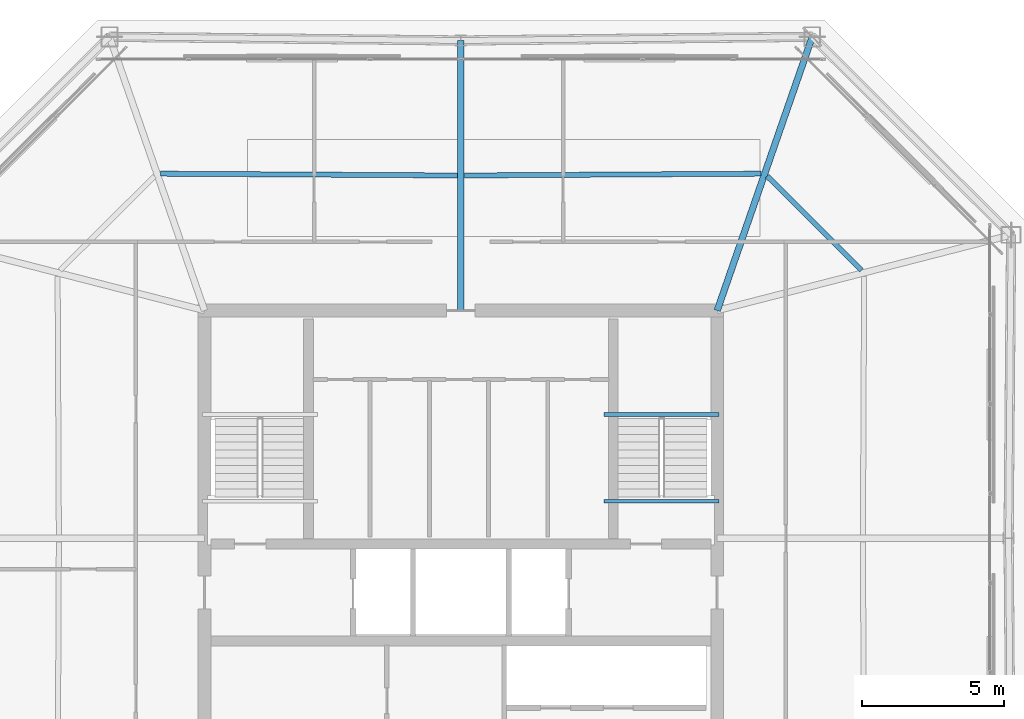
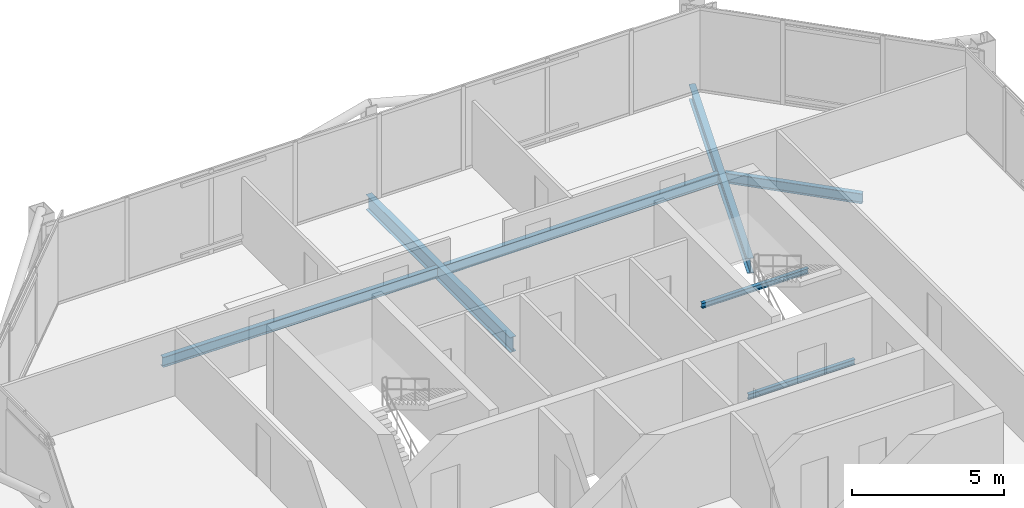
# One storey, part 14 of 26: 7 beams.
"""IFC4 building model written with IfcOpenShell, lengths in metres."""

import ifcopenshell
import ifcopenshell.guid

model = None  # the IFC model being written
_history = None  # IfcOwnerHistory: only IFC2X3 demands one
_inside = {}  # id of a spatial element -> (the spatial element, [elements in it])
_under = {}  # id of a project, library or spatial element -> (it, [spatial elements below it])
_declared = {}  # id of a project -> (the project, [libraries it declares])
_typed = {}  # id of a type object -> (the type object, [elements of that type])
_made_of = {}  # id of a material, layer set ... -> (it, [elements and type objects made of it])


def new_model(schema):
    """Start an empty IFC model of exactly this schema.

    Asked for "IFC4X3", IfcOpenShell would pick the latest addendum, in which some entities
    have other attributes; the version numbers below select the first issue.
    IFC2X3 requires an IfcOwnerHistory on every rooted entity: one is made here for all.
    """
    global model, _history
    if schema == "IFC4X3":
        model = ifcopenshell.file(schema_version=(4, 3, 0, 0))
    else:
        model = ifcopenshell.file(schema=schema)
    _inside.clear()
    _under.clear()
    _declared.clear()
    _typed.clear()
    _made_of.clear()
    _history = None
    if model.schema == "IFC2X3":
        org = make("IfcOrganization", Name="unknown")
        user = make(
            "IfcPersonAndOrganization",
            ThePerson=make("IfcPerson", FamilyName="unknown"),
            TheOrganization=org,
        )
        app = make(
            "IfcApplication",
            ApplicationDeveloper=org,
            Version="unknown",
            ApplicationFullName="unknown",
            ApplicationIdentifier="unknown",
        )
        _history = make(
            "IfcOwnerHistory",
            OwningUser=user,
            OwningApplication=app,
            ChangeAction="ADDED",
            CreationDate=0,
        )
    return model


def make(cls, **values):
    """One entity of the class cls with the attributes given. An attribute that is None is left unset."""
    return model.create_entity(
        cls, **{name: value for name, value in values.items() if value is not None}
    )


def rooted(cls, **values):
    """An entity with a GlobalId (a new one), such as an element, a storey or a relation."""
    return make(cls, GlobalId=ifcopenshell.guid.new(), OwnerHistory=_history, **values)


def si_unit(unit_type, name, prefix=None):
    """IfcSIUnit, for example si_unit("LENGTHUNIT", "METRE", prefix="MILLI")."""
    return make("IfcSIUnit", UnitType=unit_type, Prefix=prefix, Name=name)


def assignment(units):
    """IfcUnitAssignment: the units of a project."""
    return None if units is None else make("IfcUnitAssignment", Units=units)


def point(xyz):
    """IfcCartesianPoint."""
    return None if xyz is None else make("IfcCartesianPoint", Coordinates=xyz)


def direction(xyz):
    """IfcDirection."""
    return None if xyz is None else make("IfcDirection", DirectionRatios=xyz)


def frame(location, z_axis=None, x_axis=None):
    """IfcAxis2Placement3D, a coordinate frame: its origin and axes. An axis left out is left unset."""
    return make(
        "IfcAxis2Placement3D",
        Location=point(location),
        Axis=direction(z_axis),
        RefDirection=direction(x_axis),
    )


def frame_2d(location, x_axis=None):
    """IfcAxis2Placement2D, a coordinate frame in the plane: its origin and x axis."""
    return make(
        "IfcAxis2Placement2D", Location=point(location), RefDirection=direction(x_axis)
    )


def origin():
    """The frame at (0, 0, 0) with its axes left unset."""
    return frame((0.0, 0.0, 0.0))


def origin_2d():
    """The frame at (0, 0) in the plane with its x axis left unset."""
    return frame_2d((0.0, 0.0))


def place(relative_to, where):
    """IfcLocalPlacement: puts the frame where relative to a parent placement (None: the world)."""
    return make(
        "IfcLocalPlacement", PlacementRelTo=relative_to, RelativePlacement=where
    )


def context(
    kind, dimensions, precision=None, world=None, true_north=None, identifier=None
):
    """IfcGeometricRepresentationContext, for example the 3D "Model" context."""
    return make(
        "IfcGeometricRepresentationContext",
        ContextIdentifier=identifier,
        ContextType=kind,
        CoordinateSpaceDimension=dimensions,
        Precision=precision,
        WorldCoordinateSystem=world,
        TrueNorth=true_north,
    )


def subcontext(parent, identifier, kind, view, scale=None):
    """IfcGeometricRepresentationSubContext, for example "Body" below "Model"."""
    return make(
        "IfcGeometricRepresentationSubContext",
        ContextIdentifier=identifier,
        ContextType=kind,
        ParentContext=parent,
        TargetScale=scale,
        TargetView=view,
    )


def project(units=None, contexts=None):
    """IfcProject with its units and contexts."""
    return rooted(
        "IfcProject",
        Name="project",
        RepresentationContexts=contexts,
        UnitsInContext=assignment(units),
    )


def spatial(cls, under=None, at=None, **own):
    """A site, building, storey or space (cls), placed at a placement, below another one or the project."""
    s = rooted(cls, ObjectPlacement=at, **own)
    if under is not None:
        _under.setdefault(under.id(), (under, []))[1].append(s)
    return s


def profile(cls, at=None, kind="AREA", **sizes):
    """A parametric profile (cls). Its sizes go by their IFC names, for example OverallWidth=200.0."""
    return make(cls, ProfileType=kind, Position=at, **sizes)


def i_section(**sizes):
    """IfcIShapeProfileDef."""
    return profile("IfcIShapeProfileDef", **sizes)


def extrude(swept, where, along, depth):
    """IfcExtrudedAreaSolid: the profile swept, set in the frame where, extruded along a direction by depth."""
    return make(
        "IfcExtrudedAreaSolid",
        SweptArea=swept,
        Position=where,
        ExtrudedDirection=direction(along),
        Depth=depth,
    )


def shape(context_of_items, identifier, shape_type, items):
    """IfcShapeRepresentation: the items that make up one representation, for example the "Body"."""
    return make(
        "IfcShapeRepresentation",
        ContextOfItems=context_of_items,
        RepresentationIdentifier=identifier,
        RepresentationType=shape_type,
        Items=items,
    )


def material(Name=None, Category=None):
    """IfcMaterial."""
    return make("IfcMaterial", Name=Name, Category=Category)


def material_profile(
    of_material, cross_section, Name=None, Category=None, Priority=None
):
    """IfcMaterialProfile: a cross section and its material."""
    return make(
        "IfcMaterialProfile",
        Name=Name,
        Material=of_material,
        Profile=cross_section,
        Priority=Priority,
        Category=Category,
    )


def profile_set(profiles, Name=None, composite=None):
    """IfcMaterialProfileSet."""
    return make(
        "IfcMaterialProfileSet",
        Name=Name,
        MaterialProfiles=profiles,
        CompositeProfile=composite,
    )


def made_of(thing, what):
    """Note that an element or type object is made of a material, layer set ...; save() writes the relation."""
    if what is not None:
        _made_of.setdefault(what.id(), (what, []))[1].append(thing)
    return thing


def type_object(cls, material=None, **own):
    """A type object (cls), such as IfcWallType, which elements share."""
    return made_of(rooted(cls, **own), material)


def element(
    cls,
    number,
    at=None,
    inside=None,
    cuts=None,
    type_object=None,
    material=None,
    context=None,
    identifier="Body",
    shape_type=None,
    held_by="IfcProductDefinitionShape",
    body=None,
    shapes=None,
    **own,
):
    """One element of the class cls, such as IfcWall. Its Tag is "e" and its number.

    at: its placement. inside: the storey or other place that contains it. cuts: it is an
    opening in that element (IfcRelVoidsElement). A single representation is given by context,
    identifier, shape_type and body (its items); several are given by shapes. held_by: the class
    of the entity that holds the representations. save() writes the other relations.
    """
    e = rooted(cls, Tag="e%d" % number, ObjectPlacement=at, **own)
    if body is not None:
        shapes = [shape(context, identifier, shape_type, body)]
    if shapes is not None:
        e.Representation = make(held_by, Representations=shapes)
    if inside is not None:
        _inside.setdefault(inside.id(), (inside, []))[1].append(e)
    if cuts is not None:
        rooted(
            "IfcRelVoidsElement", RelatingBuildingElement=cuts, RelatedOpeningElement=e
        )
    if type_object is not None:
        _typed.setdefault(type_object.id(), (type_object, []))[1].append(e)
    return made_of(e, material)


def aggregate(whole, parts):
    """IfcRelAggregates: a whole, such as a stair, and the parts it consists of."""
    return rooted("IfcRelAggregates", RelatingObject=whole, RelatedObjects=parts)


def save(model, path):
    """Write the relations noted so far, then the file.

    IfcRelAggregates (storeys below a building ...), IfcRelContainedInSpatialStructure (elements
    in a storey), IfcRelDefinesByType, IfcRelAssociatesMaterial and IfcRelDeclares: one each for
    every whole, place, type object, material and project.
    """
    for whole, parts in _under.values():
        aggregate(whole, parts)
    for where, things in _inside.values():
        rooted(
            "IfcRelContainedInSpatialStructure",
            RelatedElements=things,
            RelatingStructure=where,
        )
    for kind, things in _typed.values():
        rooted("IfcRelDefinesByType", RelatedObjects=things, RelatingType=kind)
    for what, things in _made_of.values():
        rooted("IfcRelAssociatesMaterial", RelatedObjects=things, RelatingMaterial=what)
    for by, libraries in _declared.values():
        rooted("IfcRelDeclares", RelatingContext=by, RelatedDefinitions=libraries)
    model.write(path)


model = new_model("IFC4")

# Units and contexts
model_context = context("Model", 3, precision=1e-05, world=origin(), true_north=direction((0.0, 1.0)))
body_context = subcontext(model_context, "Body", "Model", "MODEL_VIEW")
ifc_project = project(units=[si_unit("LENGTHUNIT", "METRE"), si_unit("AREAUNIT", "SQUARE_METRE"), si_unit("VOLUMEUNIT", "CUBIC_METRE"), si_unit("PLANEANGLEUNIT", "RADIAN"), si_unit("MASSUNIT", "GRAM", prefix="KILO")], contexts=[model_context])

# Site, building, storey
site_placement = place(None, origin())
site = spatial("IfcSite", under=ifc_project, at=site_placement, CompositionType="ELEMENT")
building_placement = place(site_placement, origin())
building = spatial("IfcBuilding", under=site, at=building_placement, Name="Caelvoria Tower", CompositionType="ELEMENT")
storey_placement = place(building_placement, frame((0.0, 0.0, 239.39990234375)))
storey = spatial("IfcBuildingStorey", under=building, at=storey_placement, Name="L63", CompositionType="ELEMENT", Elevation=239.39990234375)

# Beams
ifc_material = material(Name="Structural Steel ASTM A992 Gr.50", Category="steel")
ifc_material_profile_1 = material_profile(ifc_material, i_section(OverallWidth=0.134033203125, OverallDepth=0.2099609375, WebThickness=0.00634765625, FlangeThickness=0.01025390625, FilletRadius=0.010009765625, at=origin_2d()), Name="Structural Steel ASTM A992 Gr.50")
ifc_profile_set_1 = profile_set([ifc_material_profile_1], Name="W200X31.3 - Structural Steel ASTM A992 Gr.50")
beam_type_1 = type_object("IfcBeamType", Name="Canopy Edge Trim Beam W200X31.3", PredefinedType="BEAM", material=ifc_profile_set_1)
for number, where, z_axis, x_axis, name in (
    (1, (51.030029296875, 36.35009765625, 1.4951171875), (1.0, 0.0, 0.0), (0.0, 1.0, 0.0), "ST-02 Half-Landing Support Beam L63"),
    (2, (51.030029296875, 33.300048828125, -0.304931640625), (1.0, 0.0, 0.0), (0.0, 1.0, 0.0), "ST-02 Floor-Landing Support Beam L63"),
):
    element("IfcBeam", number, at=place(storey_placement, frame(where, z_axis=z_axis, x_axis=x_axis)), inside=storey, type_object=beam_type_1, Name=name, PredefinedType="BEAM", context=body_context, shape_type="SweptSolid", body=[
        extrude(i_section(OverallWidth=0.134033203125, OverallDepth=0.2099609375, WebThickness=0.00634765625, FlangeThickness=0.01025390625, FilletRadius=0.010009765625, at=origin_2d()), origin(), (0.0, 0.0, 1.0), 4.0400390625),
    ])
ifc_material_profile_2 = material_profile(ifc_material, i_section(OverallWidth=0.22802734375, OverallDepth=0.60302734375, WebThickness=0.010498046875, FlangeThickness=0.014892578125, FilletRadius=0.01806640625, at=origin_2d()), Name="Structural Steel ASTM A992 Gr.50")
ifc_profile_set_2 = profile_set([ifc_material_profile_2], Name="W610X101 - Structural Steel ASTM A992 Gr.50")
beam_type_2 = type_object("IfcBeamType", Name="Primary Floor Girder W610X101", PredefinedType="BEAM", material=ifc_profile_set_2)
beam_1_placement = place(storey_placement, frame((55.0, 40.0, -0.5263671875), z_axis=(0.32801049917, 0.944674077359, 0.0), x_axis=(-0.944674077359, 0.32801049917, 0.0)))
element("IfcBeam", 3, at=beam_1_placement, inside=storey, type_object=beam_type_2, Name="Primary Floor Girder L63-06", PredefinedType="BEAM", context=body_context, shape_type="SweptSolid", body=[
    extrude(i_section(OverallWidth=0.22802734375, OverallDepth=0.60302734375, WebThickness=0.010498046875, FlangeThickness=0.014892578125, FilletRadius=0.01806640625, at=origin_2d()), origin(), (0.0, 0.0, 1.0), 10.173095703125),
])
beam_2_placement = place(storey_placement, frame((46.0, 40.0, -0.5263671875), z_axis=(0.0, 1.0, 0.0), x_axis=(-1.0, 0.0, 0.0)))
element("IfcBeam", 4, at=beam_2_placement, inside=storey, type_object=beam_type_2, Name="Primary Floor Girder L63-07", PredefinedType="BEAM", context=body_context, shape_type="SweptSolid", body=[
    extrude(i_section(OverallWidth=0.22802734375, OverallDepth=0.60302734375, WebThickness=0.010498046875, FlangeThickness=0.014892578125, FilletRadius=0.01806640625, at=origin_2d()), origin(), (0.0, 0.0, 1.0), 9.47998046875),
])
ifc_material_profile_3 = material_profile(ifc_material, i_section(OverallWidth=0.177978515625, OverallDepth=0.406982421875, WebThickness=0.0078125, FlangeThickness=0.0126953125, FilletRadius=0.013916015625, at=origin_2d()), Name="Structural Steel ASTM A992 Gr.50")
ifc_profile_set_3 = profile_set([ifc_material_profile_3], Name="W410X60 - Structural Steel ASTM A992 Gr.50")
beam_type_3 = type_object("IfcBeamType", Name="Secondary Floor Beam W410X60", PredefinedType="BEAM", material=ifc_profile_set_3)
beam_3_placement = place(storey_placement, frame((60.0712890625, 41.414306640625, -0.428466796875), z_axis=(-0.708384014524, 0.705827236628, 0.0), x_axis=(-0.705827236628, -0.708384014524, 0.0)))
element("IfcBeam", 5, at=beam_3_placement, inside=storey, type_object=beam_type_3, Name="Secondary Floor Beam L63-05", PredefinedType="BEAM", context=body_context, shape_type="SweptSolid", body=[
    extrude(i_section(OverallWidth=0.177978515625, OverallDepth=0.406982421875, WebThickness=0.0078125, FlangeThickness=0.0126953125, FilletRadius=0.013916015625, at=origin_2d()), origin(), (0.0, 0.0, 1.0), 4.678955078125),
])
for number, where, z_axis, x_axis, name in (
    (6, (56.54345703125, 44.80419921875, -0.428466796875), (-0.999981440003, -0.006092589736, 0.0), (0.006092589736, -0.999981440003, 0.0), "Secondary Floor Beam L63-06"),
    (7, (45.875, 44.74072265625, -0.428466796875), (-0.999981440003, 0.006092589736, 0.0), (-0.006092589736, -0.999981440003, 0.0), "Secondary Floor Beam L63-07"),
):
    element("IfcBeam", number, at=place(storey_placement, frame(where, z_axis=z_axis, x_axis=x_axis)), inside=storey, type_object=beam_type_3, Name=name, PredefinedType="BEAM", context=body_context, shape_type="SweptSolid", body=[
        extrude(i_section(OverallWidth=0.177978515625, OverallDepth=0.406982421875, WebThickness=0.0078125, FlangeThickness=0.0126953125, FilletRadius=0.013916015625, at=origin_2d()), origin(), (0.0, 0.0, 1.0), 10.418701171875),
    ])

save(model, "model.ifc")
